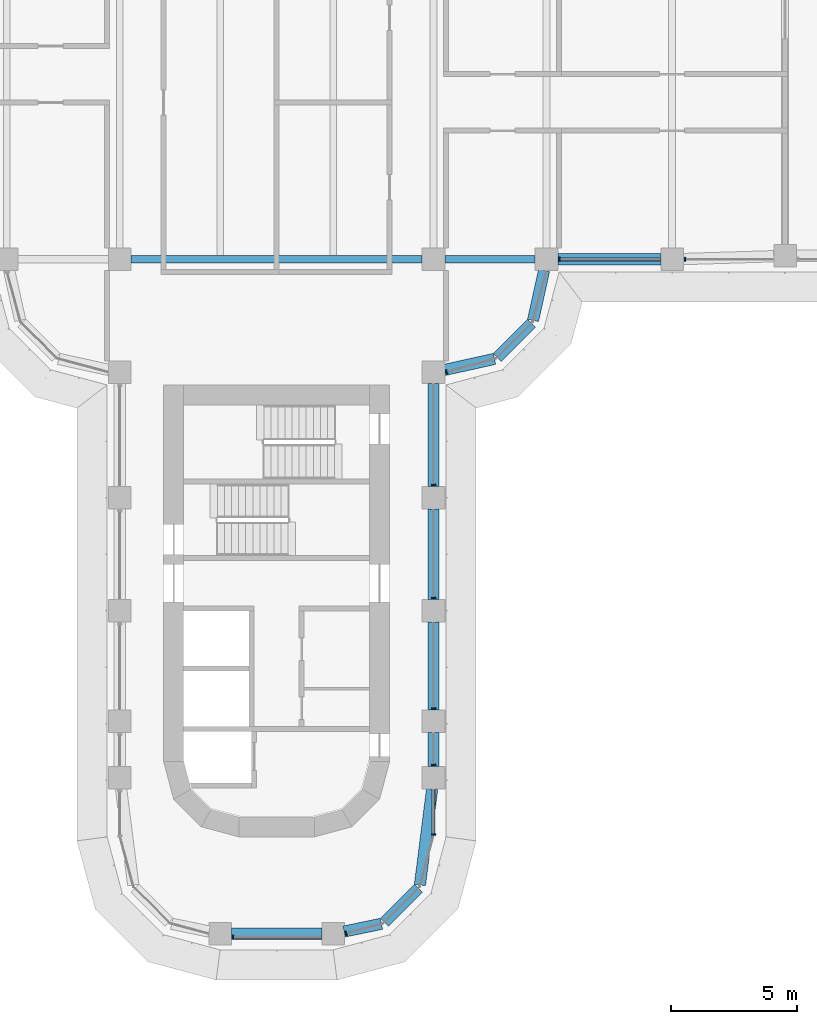
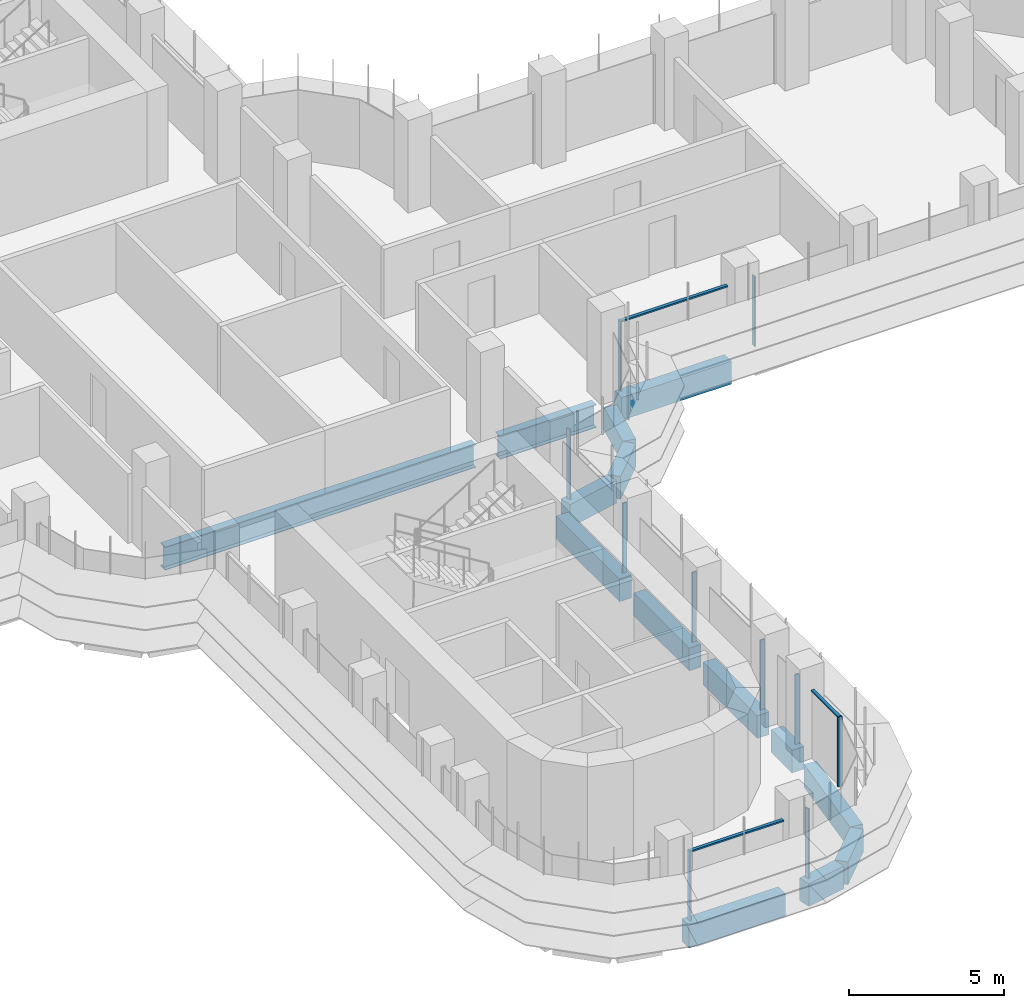
# One storey, part 4 of 22: 14 beams, 13 members, 5 elements without a shape of their own.
"""IFC4 building model written with IfcOpenShell, lengths in metres."""

from ifc_helpers import new_model, si_unit, direction, frame, origin, origin_2d, place, context, subcontext, project, spatial, polyline, rectangle, i_section, outline, extrude, source, transform, mapped, material, material_profile, profile_set, type_object, element, aggregate, save


model = new_model("IFC4")

# Units and contexts
model_context = context("Model", 3, precision=1e-05, world=origin(), true_north=direction((0.0, 1.0)))
body_context = subcontext(model_context, "Body", "Model", "MODEL_VIEW")
ifc_project = project(units=[si_unit("LENGTHUNIT", "METRE"), si_unit("AREAUNIT", "SQUARE_METRE"), si_unit("VOLUMEUNIT", "CUBIC_METRE"), si_unit("PLANEANGLEUNIT", "RADIAN"), si_unit("MASSUNIT", "GRAM", prefix="KILO")], contexts=[model_context])

# Site, building, storey
site_placement = place(None, origin())
site = spatial("IfcSite", under=ifc_project, at=site_placement, CompositionType="ELEMENT")
building_placement = place(site_placement, origin())
building = spatial("IfcBuilding", under=site, at=building_placement, Name="Zarbagh Exchange Tower", CompositionType="ELEMENT")
storey_placement = place(building_placement, frame((0.0, 0.0, 101.800048828125)))
storey = spatial("IfcBuildingStorey", under=building, at=storey_placement, Name="L23", CompositionType="ELEMENT", Elevation=101.800048828125)

# Beams
ifc_material_1 = material(Name="Steel ASTM A992 Gr 50", Category="steel")
ifc_material_profile_1 = material_profile(ifc_material_1, i_section(OverallWidth=0.3046875, OverallDepth=0.911865234375, WebThickness=0.015869140625, FlangeThickness=0.02392578125, at=origin_2d()), Name="W36X150")
ifc_profile_set_1 = profile_set([ifc_material_profile_1], Name="Steel ASTM A992 Gr 50")
beam_type_1 = type_object("IfcBeamType", Name="Floor girder W36X150", PredefinedType="BEAM", material=ifc_profile_set_1)
beam_1_placement = place(storey_placement, frame((-5.800048828125, -6.25, -0.60595703125), z_axis=(1.0, 0.0, 0.0), x_axis=(0.0, 1.0, 0.0)))
element("IfcBeam", 1, at=beam_1_placement, inside=storey, type_object=beam_type_1, Name="Steel girder", PredefinedType="BEAM", context=body_context, shape_type="SweptSolid", body=[
    extrude(i_section(OverallWidth=0.3046875, OverallDepth=0.911865234375, WebThickness=0.015869140625, FlangeThickness=0.02392578125, at=origin_2d()), origin(), (0.0, 0.0, 1.0), 11.60009765625),
])
beam_2_placement = place(storey_placement, frame((6.699951171875, -6.25, -0.60595703125), z_axis=(1.0, 0.0, 0.0), x_axis=(0.0, 1.0, 0.0)))
element("IfcBeam", 2, at=beam_2_placement, inside=storey, type_object=beam_type_1, Name="Steel girder", PredefinedType="BEAM", context=body_context, shape_type="SweptSolid", body=[
    extrude(i_section(OverallWidth=0.3046875, OverallDepth=0.911865234375, WebThickness=0.015869140625, FlangeThickness=0.02392578125, at=origin_2d()), origin(), (0.0, 0.0, 1.0), 3.60009765625),
])
ifc_material_2 = material(Name="Concrete C60/75", Category="concrete")
ifc_material_profile_2 = material_profile(ifc_material_2, rectangle(XDim=0.449951171875, YDim=0.89990234375, at=origin_2d()), Name="RC spandrel beam 450 x 900 C60/75")
ifc_profile_set_2 = profile_set([ifc_material_profile_2], Name="Concrete C60/75")
beam_type_2 = type_object("IfcBeamType", Name="RC spandrel beam 450 x 900 C60/75", PredefinedType="SPANDREL", material=ifc_profile_set_2)
beam_3_placement = place(storey_placement, frame((15.300048828125, -6.25, -0.60009765625), z_axis=(-1.0, 0.0, 0.0), x_axis=(0.0, -1.0, 0.0)))
element("IfcBeam", 3, at=beam_3_placement, inside=storey, type_object=beam_type_2, Name="RC spandrel beam", PredefinedType="SPANDREL", context=body_context, shape_type="SweptSolid", body=[
    extrude(rectangle(XDim=0.449951171875, YDim=0.89990234375, at=origin_2d()), origin(), (0.0, 0.0, 1.0), 4.10009765625),
])
beam_4_placement = place(storey_placement, frame((10.65283203125, -6.689453125, -0.60009765625), z_axis=(-0.216117666208, -0.976367325525, 0.0), x_axis=(0.976367325525, -0.216117666208, 0.0)))
element("IfcBeam", 4, at=beam_4_placement, inside=storey, type_object=beam_type_2, Name="RC spandrel beam", PredefinedType="SPANDREL", context=body_context, shape_type="SweptSolid", body=[
    extrude(rectangle(XDim=0.449951171875, YDim=0.89990234375, at=origin_2d()), origin(), (0.0, 0.0, 1.0), 2.03564453125),
])
beam_5_placement = place(storey_placement, frame((10.15234375, -8.78759765625, -0.60009765625), z_axis=(-0.707106781187, -0.707106781187, 0.0), x_axis=(0.707106781187, -0.707106781187, 0.0)))
element("IfcBeam", 5, at=beam_5_placement, inside=storey, type_object=beam_type_2, Name="RC spandrel beam", PredefinedType="SPANDREL", context=body_context, shape_type="SweptSolid", body=[
    extrude(rectangle(XDim=0.449951171875, YDim=0.89990234375, at=origin_2d()), origin(), (0.0, 0.0, 1.0), 1.929931640625),
])
beam_6_placement = place(storey_placement, frame((8.677001953125, -10.212890625, -0.60009765625), z_axis=(-0.976367325525, -0.216117666208, 0.0), x_axis=(0.216117666208, -0.976367325525, 0.0)))
element("IfcBeam", 6, at=beam_6_placement, inside=storey, type_object=beam_type_2, Name="RC spandrel beam", PredefinedType="SPANDREL", context=body_context, shape_type="SweptSolid", body=[
    extrude(rectangle(XDim=0.449951171875, YDim=0.89990234375, at=origin_2d()), origin(), (0.0, 0.0, 1.0), 2.03564453125),
])
beam_7_placement = place(storey_placement, frame((6.25, -11.199951171875, -0.60009765625), z_axis=(0.0, -1.0, 0.0), x_axis=(1.0, 0.0, 0.0)))
element("IfcBeam", 7, at=beam_7_placement, inside=storey, type_object=beam_type_2, Name="RC spandrel beam", PredefinedType="SPANDREL", context=body_context, shape_type="SweptSolid", body=[
    extrude(rectangle(XDim=0.449951171875, YDim=0.89990234375, at=origin_2d()), origin(), (0.0, 0.0, 1.0), 4.10009765625),
])
beam_8_placement = place(storey_placement, frame((6.25, -16.199951171875, -0.60009765625), z_axis=(0.0, -1.0, 0.0), x_axis=(1.0, 0.0, 0.0)))
element("IfcBeam", 8, at=beam_8_placement, inside=storey, type_object=beam_type_2, Name="RC spandrel beam", PredefinedType="SPANDREL", context=body_context, shape_type="SweptSolid", body=[
    extrude(rectangle(XDim=0.449951171875, YDim=0.89990234375, at=origin_2d()), origin(), (0.0, 0.0, 1.0), 3.60009765625),
])
beam_9_placement = place(storey_placement, frame((6.25, -20.699951171875, -0.60009765625), z_axis=(0.0, -1.0, 0.0), x_axis=(1.0, 0.0, 0.0)))
element("IfcBeam", 9, at=beam_9_placement, inside=storey, type_object=beam_type_2, Name="RC spandrel beam", PredefinedType="SPANDREL", context=body_context, shape_type="SweptSolid", body=[
    extrude(rectangle(XDim=0.449951171875, YDim=0.89990234375, at=origin_2d()), origin(), (0.0, 0.0, 1.0), 3.5),
])
beam_10_placement = place(storey_placement, frame((6.25, -25.10009765625, -0.60009765625), z_axis=(0.0, -1.0, 0.0), x_axis=(1.0, 0.0, 0.0)))
element("IfcBeam", 10, at=beam_10_placement, inside=storey, type_object=beam_type_2, Name="RC spandrel beam", PredefinedType="SPANDREL", context=body_context, shape_type="SweptSolid", body=[
    extrude(rectangle(XDim=0.449951171875, YDim=0.89990234375, at=origin_2d()), origin(), (0.0, 0.0, 1.0), 1.349853515625),
])
beam_11_placement = place(storey_placement, frame((6.193359375, -27.346435546875, -0.60009765625), z_axis=(-0.12597055537, -0.992033980859, 0.0), x_axis=(0.992033980859, -0.12597055537, 0.0)))
element("IfcBeam", 11, at=beam_11_placement, inside=storey, type_object=beam_type_2, Name="RC spandrel beam", PredefinedType="SPANDREL", context=body_context, shape_type="SweptSolid", body=[
    extrude(rectangle(XDim=0.449951171875, YDim=0.89990234375, at=origin_2d()), origin(), (0.0, 0.0, 1.0), 3.84912109375),
])
beam_12_placement = place(storey_placement, frame((5.644287109375, -31.295654296875, -0.60009765625), z_axis=(-0.707106781187, -0.707106781187, 0.0), x_axis=(0.707106781187, -0.707106781187, 0.0)))
element("IfcBeam", 12, at=beam_12_placement, inside=storey, type_object=beam_type_2, Name="RC spandrel beam", PredefinedType="SPANDREL", context=body_context, shape_type="SweptSolid", body=[
    extrude(rectangle(XDim=0.449951171875, YDim=0.89990234375, at=origin_2d()), origin(), (0.0, 0.0, 1.0), 1.9169921875),
])
beam_13_placement = place(storey_placement, frame((4.17529296875, -32.71240234375, -0.60009765625), z_axis=(-0.979328675816, -0.202275417995, 0.0), x_axis=(0.202275417995, -0.979328675816, 0.0)))
element("IfcBeam", 13, at=beam_13_placement, inside=storey, type_object=beam_type_2, Name="RC spandrel beam", PredefinedType="SPANDREL", context=body_context, shape_type="SweptSolid", body=[
    extrude(rectangle(XDim=0.449951171875, YDim=0.89990234375, at=origin_2d()), origin(), (0.0, 0.0, 1.0), 1.515869140625),
])
beam_14_placement = place(storey_placement, frame((1.800048828125, -33.110107421875, -0.60009765625), z_axis=(-1.0, 0.0, 0.0), x_axis=(0.0, -1.0, 0.0)))
element("IfcBeam", 14, at=beam_14_placement, inside=storey, type_object=beam_type_2, Name="RC spandrel beam", PredefinedType="SPANDREL", context=body_context, shape_type="SweptSolid", body=[
    extrude(rectangle(XDim=0.449951171875, YDim=0.89990234375, at=origin_2d()), origin(), (0.0, 0.0, 1.0), 3.60009765625),
])

# Curtain wall, member
ifc_material_3 = material(Name="Anodised aluminium frame and glazing", Category="aluminium")
curtain_wall_type = type_object("IfcCurtainWallType", Name="CWA Ribbon glazing, lower zones", PredefinedType="NOTDEFINED", material=ifc_material_3)
curtain_wall_1_placement = place(storey_placement, origin())
curtain_wall_1 = element("IfcCurtainWall", 15, at=curtain_wall_1_placement, inside=storey, type_object=curtain_wall_type, Name="CWA01 curtain wall", PredefinedType="NOTDEFINED")
ifc_material_4 = material(Name="Anodised aluminium frame", Category="aluminium")
member_type_1 = type_object("IfcMemberType", Name="MUA Mullion, anodised aluminium frame", PredefinedType="MULLION", material=ifc_material_4)
shared_shape_1 = source(origin(), body_context, "Body", "SweptSolid", [
    extrude(outline(polyline([(0.0, -0.080078125), (0.06005859375, -0.080078125), (0.06005859375, 0.080078125), (0.0, 0.080078125), (0.0, -0.080078125)])), origin(), (0.0, 0.0, 1.0), 2.75),
])
placement = place(storey_placement, origin())
member_1 = element("IfcMember", 16, at=placement, type_object=member_type_1, Name="CWA01 mullion 1.1", PredefinedType="MULLION", context=body_context, shape_type="MappedRepresentation", body=[
    mapped(shared_shape_1, transform((2.739990234375, -33.10107421875, 0.0), x_axis=(0.965924289636, 0.258824779902, 0.0), y_axis=(-0.258824779902, 0.965924289636, 0.0), z_axis=(0.0, 0.0, 1.0))),
])
aggregate(curtain_wall_1, [member_1])

# Curtain wall, members
curtain_wall_2_placement = place(storey_placement, origin())
curtain_wall_2 = element("IfcCurtainWall", 17, at=curtain_wall_2_placement, inside=storey, type_object=curtain_wall_type, Name="CWA04 curtain wall", PredefinedType="NOTDEFINED")
member_2 = element("IfcMember", 18, at=placement, type_object=member_type_1, Name="CWA04 mullion 1.1", PredefinedType="MULLION", context=body_context, shape_type="MappedRepresentation", body=[
    mapped(shared_shape_1, transform((6.25, -29.18408203125, 0.0), x_axis=(0.0, 1.0, 0.0), y_axis=(-1.0, 0.0, 0.0), z_axis=(0.0, 0.0, 1.0))),
])
member_3 = element("IfcMember", 19, at=placement, type_object=member_type_1, Name="CWA04 mullion 2.1", PredefinedType="MULLION", context=body_context, shape_type="MappedRepresentation", body=[
    mapped(shared_shape_1, transform((6.25, -26.409912109375, 0.0), x_axis=(0.0, 1.0, 0.0), y_axis=(-1.0, 0.0, 0.0), z_axis=(0.0, 0.0, 1.0))),
])
member_4 = element("IfcMember", 20, at=placement, type_object=member_type_1, Name="CWA04 mullion 3.1", PredefinedType="MULLION", context=body_context, shape_type="MappedRepresentation", body=[
    mapped(shared_shape_1, transform((6.25, -24.159912109375, 0.0), x_axis=(0.0, 1.0, 0.0), y_axis=(-1.0, 0.0, 0.0), z_axis=(0.0, 0.0, 1.0))),
])
member_5 = element("IfcMember", 21, at=placement, type_object=member_type_1, Name="CWA04 mullion 4.1", PredefinedType="MULLION", context=body_context, shape_type="MappedRepresentation", body=[
    mapped(shared_shape_1, transform((6.25, -19.760009765625, 0.0), x_axis=(0.0, 1.0, 0.0), y_axis=(-1.0, 0.0, 0.0), z_axis=(0.0, 0.0, 1.0))),
])
member_6 = element("IfcMember", 22, at=placement, type_object=member_type_1, Name="CWA04 mullion 5.1", PredefinedType="MULLION", context=body_context, shape_type="MappedRepresentation", body=[
    mapped(shared_shape_1, transform((6.25, -15.260009765625, 0.0), x_axis=(0.0, 1.0, 0.0), y_axis=(-1.0, 0.0, 0.0), z_axis=(0.0, 0.0, 1.0))),
])

# Curtain wall, member
curtain_wall_3_placement = place(storey_placement, origin())
curtain_wall_3 = element("IfcCurtainWall", 23, at=curtain_wall_3_placement, inside=storey, type_object=curtain_wall_type, Name="CWA05 curtain wall", PredefinedType="NOTDEFINED")
member_7 = element("IfcMember", 24, at=placement, type_object=member_type_1, Name="CWA05 mullion 1.1", PredefinedType="MULLION", context=body_context, shape_type="MappedRepresentation", body=[
    mapped(shared_shape_1, transform((6.739990234375, -10.735107421875, 0.0), x_axis=(0.965924289636, 0.258824779902, 0.0), y_axis=(-0.258824779902, 0.965924289636, 0.0), z_axis=(0.0, 0.0, 1.0))),
])
aggregate(curtain_wall_3, [member_7])

# Curtain wall, members
curtain_wall_4_placement = place(storey_placement, origin())
curtain_wall_4 = element("IfcCurtainWall", 25, at=curtain_wall_4_placement, inside=storey, type_object=curtain_wall_type, Name="CWA08 curtain wall", PredefinedType="NOTDEFINED")
member_8 = element("IfcMember", 26, at=placement, type_object=member_type_1, Name="CWA08 mullion 1.1", PredefinedType="MULLION", context=body_context, shape_type="MappedRepresentation", body=[
    mapped(shared_shape_1, transform((11.239990234375, -6.25, 0.0), x_axis=(1.0, 0.0, 0.0), y_axis=(0.0, 1.0, 0.0), z_axis=(0.0, 0.0, 1.0))),
])
member_9 = element("IfcMember", 27, at=placement, type_object=member_type_1, Name="CWA08 mullion 2.1", PredefinedType="MULLION", context=body_context, shape_type="MappedRepresentation", body=[
    mapped(shared_shape_1, transform((16.239990234375, -6.25, 0.0), x_axis=(1.0, 0.0, 0.0), y_axis=(0.0, 1.0, 0.0), z_axis=(0.0, 0.0, 1.0))),
])

# Curtain wall, member
curtain_wall_5_placement = place(storey_placement, origin())
curtain_wall_5 = element("IfcCurtainWall", 28, at=curtain_wall_5_placement, inside=storey, type_object=curtain_wall_type, Name="CWA48 curtain wall", PredefinedType="NOTDEFINED")
member_10 = element("IfcMember", 29, at=placement, type_object=member_type_1, Name="CWA48 mullion 1.1", PredefinedType="MULLION", context=body_context, shape_type="MappedRepresentation", body=[
    mapped(shared_shape_1, transform((-1.760009765625, -33.25, 0.0), x_axis=(1.0, 0.0, 0.0), y_axis=(0.0, 1.0, 0.0), z_axis=(0.0, 0.0, 1.0))),
])

# Member
member_type_2 = type_object("IfcMemberType", Name="TRA Transom, anodised aluminium frame", PredefinedType="USERDEFINED", material=ifc_material_4)
shared_shape_2 = source(origin(), body_context, "Body", "SweptSolid", [
    extrude(outline(polyline([(-0.06005859375, -0.06005859375), (0.0, -0.06005859375), (0.0, 0.06005859375), (-0.06005859375, 0.06005859375), (-0.06005859375, -0.06005859375)])), origin(), (0.0, 0.0, 1.0), 1.734130859375),
])
member_11 = element("IfcMember", 30, at=placement, type_object=member_type_2, Name="CWA04 transom 1.1", ObjectType="TRANSOM", PredefinedType="USERDEFINED", context=body_context, shape_type="MappedRepresentation", body=[
    mapped(shared_shape_2, transform((6.25, -29.124267578125, 2.75), x_axis=(0.0, 0.0, 1.0), y_axis=(1.0, 0.0, 0.0), z_axis=(0.0, 1.0, 0.0))),
])

aggregate(curtain_wall_2, [member_2, member_11, member_3, member_4, member_5, member_6])

shared_shape_3 = source(origin(), body_context, "Body", "SweptSolid", [
    extrude(outline(polyline([(-0.06005859375, -0.06005859375), (0.0, -0.06005859375), (0.0, 0.06005859375), (-0.06005859375, 0.06005859375), (-0.06005859375, -0.06005859375)])), origin(), (0.0, 0.0, 1.0), 3.9599609375),
])
member_12 = element("IfcMember", 31, at=placement, type_object=member_type_2, Name="CWA08 transom 1.1", ObjectType="TRANSOM", PredefinedType="USERDEFINED", context=body_context, shape_type="MappedRepresentation", body=[
    mapped(shared_shape_3, transform((11.300048828125, -6.25, 2.75), x_axis=(0.0, 0.0, 1.0), y_axis=(0.0, -1.0, 0.0), z_axis=(1.0, 0.0, 0.0))),
])

aggregate(curtain_wall_4, [member_8, member_12, member_9])

shared_shape_4 = source(origin(), body_context, "Body", "SweptSolid", [
    extrude(outline(polyline([(-0.06005859375, -0.06005859375), (0.0, -0.06005859375), (0.0, 0.06005859375), (-0.06005859375, 0.06005859375), (-0.06005859375, -0.06005859375)])), origin(), (0.0, 0.0, 1.0), 3.4599609375),
])
member_13 = element("IfcMember", 32, at=placement, type_object=member_type_2, Name="CWA48 transom 1.1", ObjectType="TRANSOM", PredefinedType="USERDEFINED", context=body_context, shape_type="MappedRepresentation", body=[
    mapped(shared_shape_4, transform((-1.699951171875, -33.25, 2.75), x_axis=(0.0, 0.0, 1.0), y_axis=(0.0, -1.0, 0.0), z_axis=(1.0, 0.0, 0.0))),
])

aggregate(curtain_wall_5, [member_10, member_13])

save(model, "model.ifc")
